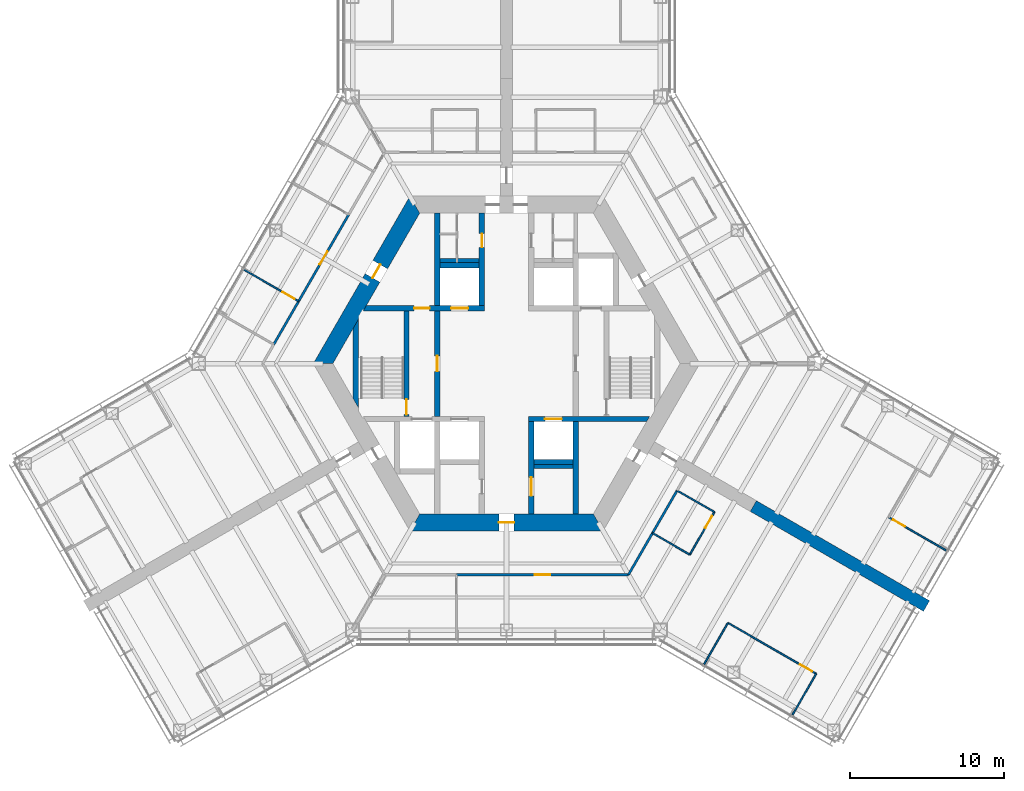
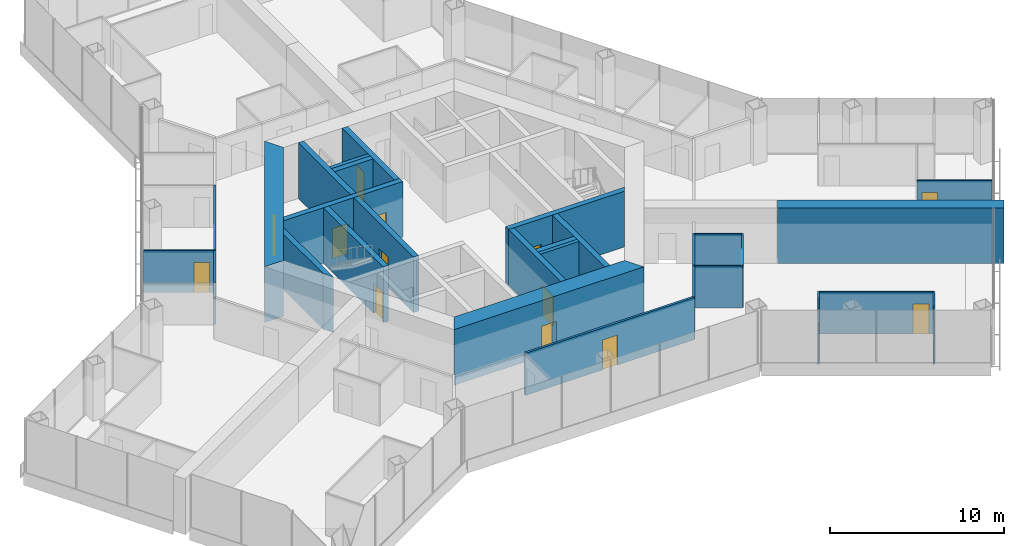
# One storey, part 13 of 19: 29 walls, 15 doors, 15 openings.
"""IFC4 building model written with IfcOpenShell, lengths in metres."""

from ifc_helpers import new_model, si_unit, direction, frame, frame_2d, origin, place, context, subcontext, project, spatial, polyline, rectangle, outline, extrude, material, layer, layer_set, type_object, element, fill, save


model = new_model("IFC4")

# Units and contexts
model_context = context("Model", 3, precision=1e-05, world=origin(), true_north=direction((0.0, 1.0)))
body_context = subcontext(model_context, "Body", "Model", "MODEL_VIEW")
ifc_project = project(units=[si_unit("LENGTHUNIT", "METRE"), si_unit("AREAUNIT", "SQUARE_METRE"), si_unit("VOLUMEUNIT", "CUBIC_METRE"), si_unit("PLANEANGLEUNIT", "RADIAN"), si_unit("MASSUNIT", "GRAM", prefix="KILO")], contexts=[model_context])

# Site, building, storey
site_placement = place(None, origin())
site = spatial("IfcSite", under=ifc_project, at=site_placement, CompositionType="ELEMENT")
building_placement = place(site_placement, origin())
building = spatial("IfcBuilding", under=site, at=building_placement, Name="Kasaneha Research Tower", CompositionType="ELEMENT")
storey_placement = place(building_placement, frame((0.0, 0.0, 100.199951171875)))
storey = spatial("IfcBuildingStorey", under=building, at=storey_placement, Name="L25", CompositionType="ELEMENT", Elevation=100.199951171875)

# Wall, openings, doors
ifc_material_1 = material(Name="Concrete Fc80", Category="concrete")
ifc_layer_1 = layer(ifc_material_1, 0.35009765625)
ifc_layer_set_1 = layer_set([ifc_layer_1], Name="Core internal wall 350 Fc80")
wall_type_1 = type_object("IfcWallType", Name="Core internal wall 350 Fc80", PredefinedType="SHEAR", material=ifc_layer_set_1)
wall_1_placement = place(storey_placement, frame((-9.208740234375, 3.60009765625, 0.0), z_axis=(0.0, 0.0, 1.0), x_axis=(1.0, 0.0, 0.0)))
wall_1 = element("IfcWall", 1, at=wall_1_placement, inside=storey, type_object=wall_type_1, Name="Core wall W1W L25", PredefinedType="SHEAR", context=body_context, shape_type="SweptSolid", body=[
    extrude(outline(polyline([(-0.10107421875, -0.175048828125), (3.208740234375, -0.175048828125), (4.208740234375, -0.175048828125), (5.608642578125, -0.175048828125), (6.708740234375, -0.175048828125), (7.78369140625, -0.175048828125), (7.78369140625, 0.175048828125), (6.708740234375, 0.175048828125), (5.608642578125, 0.175048828125), (4.208740234375, 0.175048828125), (3.208740234375, 0.175048828125), (0.10107421875, 0.175048828125), (-0.10107421875, -0.175048828125)])), origin(), (0.0, 0.0, 1.0), 3.900146484375),
])
opening_1_placement = place(wall_1_placement, frame((3.208740234375, 0.0, 0.0)))
opening_1 = element("IfcOpeningElement", 2, at=opening_1_placement, cuts=wall_1, Name="Opening L25-D12", PredefinedType="OPENING", context=body_context, shape_type="SweptSolid", body=[
    extrude(rectangle(XDim=1.0, YDim=2.10009765625, at=frame_2d((0.5, 1.050048828125))), frame((0.0, 0.18505859375, 0.0), z_axis=(0.0, -1.0, 0.0), x_axis=(1.0, 0.0, 0.0)), (0.0, 0.0, 1.0), 0.3701171875),
])
opening_2_placement = place(wall_1_placement, frame((5.608642578125, 0.0, 0.0)))
opening_2 = element("IfcOpeningElement", 3, at=opening_2_placement, cuts=wall_1, Name="Opening LD-LO1-L25", PredefinedType="OPENING", context=body_context, shape_type="SweptSolid", body=[
    extrude(rectangle(XDim=1.10009765625, YDim=2.10009765625, at=frame_2d((0.550048828125, 1.050048828125))), frame((0.0, 0.18505859375, 0.0), z_axis=(0.0, -1.0, 0.0), x_axis=(1.0, 0.0, 0.0)), (0.0, 0.0, 1.0), 0.3701171875),
])
ifc_material_2 = material(Name="Steel", Category="steel")
door_type_1 = type_object("IfcDoorType", Name="Lift landing door 1100x2100", OperationType="DOUBLE_DOOR_SLIDING", PredefinedType="DOOR", material=ifc_material_2)
door_1_placement = place(opening_2_placement, origin())
door_1 = element("IfcDoor", 4, at=door_1_placement, inside=storey, type_object=door_type_1, Name="Landing door LO1 LD-LO1-L25", OperationType="DOUBLE_DOOR_SLIDING", OverallHeight=2.10009765625, OverallWidth=1.10009765625, PredefinedType="DOOR", context=body_context, shape_type="SweptSolid", body=[
    extrude(rectangle(XDim=1.10009765625, YDim=2.10009765625, at=frame_2d((0.550048828125, 1.050048828125))), frame((0.0, 0.02490234375, 0.0), z_axis=(0.0, -1.0, 0.0), x_axis=(1.0, 0.0, 0.0)), (0.0, 0.0, 1.0), 0.050048828125),
])
fill(opening_2, door_1)
ifc_material_3 = material(Name="Steel", Category="steel")
door_type_2 = type_object("IfcDoorType", Name="Specified fire door FD60 1000x2100", OperationType="NOTDEFINED", PredefinedType="DOOR", material=ifc_material_3)
door_2_placement = place(opening_1_placement, origin())
door_2 = element("IfcDoor", 5, at=door_2_placement, inside=storey, type_object=door_type_2, Name="Vestibule to lobby door L25-D12", OperationType="SINGLE_SWING_RIGHT", OverallHeight=2.10009765625, OverallWidth=1.0, PredefinedType="DOOR", context=body_context, shape_type="SweptSolid", body=[
    extrude(rectangle(XDim=1.0, YDim=2.10009765625, at=frame_2d((0.5, 1.050048828125))), frame((0.0, 0.02490234375, 0.0), z_axis=(0.0, -1.0, 0.0), x_axis=(1.0, 0.0, 0.0)), (0.0, 0.0, 1.0), 0.050048828125),
])
fill(opening_1, door_2)

# Wall, opening, door
wall_2_placement = place(storey_placement, frame((1.425048828125, -3.60009765625, 0.0), z_axis=(0.0, 0.0, 1.0), x_axis=(1.0, 0.0, 0.0)))
wall_2 = element("IfcWall", 6, at=wall_2_placement, inside=storey, type_object=wall_type_1, Name="Core wall W2E L25", PredefinedType="SHEAR", context=body_context, shape_type="SweptSolid", body=[
    extrude(outline(polyline([(0.0, -0.175048828125), (1.074951171875, -0.175048828125), (2.175048828125, -0.175048828125), (7.6826171875, -0.175048828125), (7.884765625, 0.175048828125), (2.175048828125, 0.175048828125), (1.074951171875, 0.175048828125), (0.0, 0.175048828125), (0.0, -0.175048828125)])), origin(), (0.0, 0.0, 1.0), 3.900146484375),
])
opening_3_placement = place(wall_2_placement, frame((1.074951171875, 0.0, 0.0)))
opening_3 = element("IfcOpeningElement", 7, at=opening_3_placement, cuts=wall_2, Name="Opening LD-LO3-L25", PredefinedType="OPENING", context=body_context, shape_type="SweptSolid", body=[
    extrude(rectangle(XDim=1.10009765625, YDim=2.10009765625, at=frame_2d((0.550048828125, 1.050048828125))), frame((0.0, 0.18505859375, 0.0), z_axis=(0.0, -1.0, 0.0), x_axis=(1.0, 0.0, 0.0)), (0.0, 0.0, 1.0), 0.3701171875),
])
door_3_placement = place(opening_3_placement, origin())
door_3 = element("IfcDoor", 8, at=door_3_placement, inside=storey, type_object=door_type_1, Name="Landing door LO3 LD-LO3-L25", OperationType="DOUBLE_DOOR_SLIDING", OverallHeight=2.10009765625, OverallWidth=1.10009765625, PredefinedType="DOOR", context=body_context, shape_type="SweptSolid", body=[
    extrude(rectangle(XDim=1.10009765625, YDim=2.10009765625, at=frame_2d((0.550048828125, 1.050048828125))), frame((0.0, 0.02490234375, 0.0), z_axis=(0.0, -1.0, 0.0), x_axis=(1.0, 0.0, 0.0)), (0.0, 0.0, 1.0), 0.050048828125),
])
fill(opening_3, door_3)

wall_3_placement = place(storey_placement, frame((-1.60009765625, 3.77490234375, 0.0), z_axis=(0.0, 0.0, 1.0), x_axis=(0.0, 1.0, 0.0)))
wall_3 = element("IfcWall", 9, at=wall_3_placement, inside=storey, type_object=wall_type_1, Name="Core wall CNW L25", PredefinedType="SHEAR", context=body_context, shape_type="SweptSolid", body=[
    extrude(rectangle(XDim=6.0, YDim=0.35009765625, at=frame_2d((3.0, 0.0))), origin(), (0.0, 0.0, 1.0), 3.900146484375),
])
opening_4_placement = place(wall_3_placement, frame((3.77490234375, 0.0, 0.0)))
opening_4 = element("IfcOpeningElement", 10, at=opening_4_placement, cuts=wall_3, Name="Opening L25-D13", PredefinedType="OPENING", context=body_context, shape_type="SweptSolid", body=[
    extrude(rectangle(XDim=0.89990234375, YDim=2.10009765625, at=frame_2d((0.449951171875, 1.050048828125))), frame((0.0, 0.18505859375, 0.0), z_axis=(0.0, -1.0, 0.0), x_axis=(1.0, 0.0, 0.0)), (0.0, 0.0, 1.0), 0.3701171875),
])
ifc_material_4 = material(Name="Steel", Category="steel")
door_type_3 = type_object("IfcDoorType", Name="Toilet door FD20 900x2100", OperationType="NOTDEFINED", PredefinedType="DOOR", material=ifc_material_4)
door_4_placement = place(opening_4_placement, origin())
door_4 = element("IfcDoor", 11, at=door_4_placement, inside=storey, type_object=door_type_3, Name="Men's WC door L25-D13", OperationType="SINGLE_SWING_LEFT", OverallHeight=2.10009765625, OverallWidth=0.89990234375, PredefinedType="DOOR", context=body_context, shape_type="SweptSolid", body=[
    extrude(rectangle(XDim=0.89990234375, YDim=2.10009765625, at=frame_2d((0.449951171875, 1.050048828125))), frame((0.0, 0.02490234375, 0.0), z_axis=(0.0, -1.0, 0.0), x_axis=(1.0, 0.0, 0.0)), (0.0, 0.0, 1.0), 0.050048828125),
])
fill(opening_4, door_4)

wall_4_placement = place(storey_placement, frame((1.60009765625, -3.77490234375, 0.0), z_axis=(0.0, 0.0, 1.0), x_axis=(0.0, -1.0, 0.0)))
wall_4 = element("IfcWall", 12, at=wall_4_placement, inside=storey, type_object=wall_type_1, Name="Core wall CSE L25", PredefinedType="SHEAR", context=body_context, shape_type="SweptSolid", body=[
    extrude(rectangle(XDim=6.0, YDim=0.35009765625, at=frame_2d((3.0, 0.0))), origin(), (0.0, 0.0, 1.0), 3.900146484375),
])
opening_5_placement = place(wall_4_placement, frame((3.625, 0.0, 0.0)))
opening_5 = element("IfcOpeningElement", 13, at=opening_5_placement, cuts=wall_4, Name="Opening L25-D15", PredefinedType="OPENING", context=body_context, shape_type="SweptSolid", body=[
    extrude(rectangle(XDim=1.199951171875, YDim=2.10009765625, at=frame_2d((0.60009765625, 1.050048828125))), frame((0.0, 0.18505859375, 0.0), z_axis=(0.0, -1.0, 0.0), x_axis=(1.0, 0.0, 0.0)), (0.0, 0.0, 1.0), 0.3701171875),
])
ifc_material_5 = material(Name="Steel", Category="steel")
door_type_4 = type_object("IfcDoorType", Name="Accessible toilet sliding door FD20 1200x2100", OperationType="SLIDING_TO_LEFT", PredefinedType="DOOR", material=ifc_material_5)
door_5_placement = place(opening_5_placement, origin())
door_5 = element("IfcDoor", 14, at=door_5_placement, inside=storey, type_object=door_type_4, Name="Accessible WC door L25-D15", OperationType="SLIDING_TO_LEFT", OverallHeight=2.10009765625, OverallWidth=1.199951171875, PredefinedType="DOOR", context=body_context, shape_type="SweptSolid", body=[
    extrude(rectangle(XDim=1.199951171875, YDim=2.10009765625, at=frame_2d((0.60009765625, 1.050048828125))), frame((0.0, 0.02490234375, 0.0), z_axis=(0.0, -1.0, 0.0), x_axis=(1.0, 0.0, 0.0)), (0.0, 0.0, 1.0), 0.050048828125),
])
fill(opening_5, door_5)

wall_5_placement = place(storey_placement, frame((-4.5, -3.425048828125, 0.0), z_axis=(0.0, 0.0, 1.0), x_axis=(0.0, 1.0, 0.0)))
wall_5 = element("IfcWall", 15, at=wall_5_placement, inside=storey, type_object=wall_type_1, Name="Core wall LBW L25", PredefinedType="SHEAR", context=body_context, shape_type="SweptSolid", body=[
    extrude(rectangle(XDim=6.85009765625, YDim=0.35009765625, at=frame_2d((3.425048828125, 0.0))), origin(), (0.0, 0.0, 1.0), 3.900146484375),
])
opening_6_placement = place(wall_5_placement, frame((2.925048828125, 0.0, 0.0)))
opening_6 = element("IfcOpeningElement", 16, at=opening_6_placement, cuts=wall_5, Name="Opening L25-D09", PredefinedType="OPENING", context=body_context, shape_type="SweptSolid", body=[
    extrude(rectangle(XDim=1.0, YDim=2.10009765625, at=frame_2d((0.5, 1.050048828125))), frame((0.0, 0.18505859375, 0.0), z_axis=(0.0, -1.0, 0.0), x_axis=(1.0, 0.0, 0.0)), (0.0, 0.0, 1.0), 0.3701171875),
])
door_6_placement = place(opening_6_placement, origin())
door_6 = element("IfcDoor", 17, at=door_6_placement, inside=storey, type_object=door_type_2, Name="Lift lobby door west L25-D09", OperationType="SINGLE_SWING_LEFT", OverallHeight=2.10009765625, OverallWidth=1.0, PredefinedType="DOOR", context=body_context, shape_type="SweptSolid", body=[
    extrude(rectangle(XDim=1.0, YDim=2.10009765625, at=frame_2d((0.5, 1.050048828125))), frame((0.0, 0.02490234375, 0.0), z_axis=(0.0, -1.0, 0.0), x_axis=(1.0, 0.0, 0.0)), (0.0, 0.0, 1.0), 0.050048828125),
])
fill(opening_6, door_6)

wall_6_placement = place(storey_placement, frame((-6.5, -3.425048828125, 0.0), z_axis=(0.0, 0.0, 1.0), x_axis=(0.0, 1.0, 0.0)))
wall_6 = element("IfcWall", 18, at=wall_6_placement, inside=storey, type_object=wall_type_1, Name="Core wall ANW L25", PredefinedType="SHEAR", context=body_context, shape_type="SweptSolid", body=[
    extrude(rectangle(XDim=6.85009765625, YDim=0.35009765625, at=frame_2d((3.425048828125, 0.0))), origin(), (0.0, 0.0, 1.0), 3.900146484375),
])
opening_7_placement = place(wall_6_placement, frame((0.10009765625, 0.0, 0.0)))
opening_7 = element("IfcOpeningElement", 19, at=opening_7_placement, cuts=wall_6, Name="Opening L25-D11", PredefinedType="OPENING", context=body_context, shape_type="SweptSolid", body=[
    extrude(rectangle(XDim=1.0, YDim=2.10009765625, at=frame_2d((0.5, 1.050048828125))), frame((0.0, 0.18505859375, 0.0), z_axis=(0.0, -1.0, 0.0), x_axis=(1.0, 0.0, 0.0)), (0.0, 0.0, 1.0), 0.3701171875),
])
door_7_placement = place(opening_7_placement, origin())
door_7 = element("IfcDoor", 20, at=door_7_placement, inside=storey, type_object=door_type_2, Name="Stair 2 door L25-D11", OperationType="SINGLE_SWING_LEFT", OverallHeight=2.10009765625, OverallWidth=1.0, PredefinedType="DOOR", context=body_context, shape_type="SweptSolid", body=[
    extrude(rectangle(XDim=1.0, YDim=2.10009765625, at=frame_2d((0.5, 1.050048828125))), frame((0.0, 0.02490234375, 0.0), z_axis=(0.0, -1.0, 0.0), x_axis=(1.0, 0.0, 0.0)), (0.0, 0.0, 1.0), 0.050048828125),
])
fill(opening_7, door_7)

# Walls
for number, where, z_axis, x_axis, name in (
    (21, (-4.5, 3.77490234375, 0.0), (0.0, 0.0, 1.0), (0.0, 1.0, 0.0), "Core wall VNW L25"),
    (22, (4.5, -3.77490234375, 0.0), (0.0, 0.0, 1.0), (0.0, -1.0, 0.0), "Core wall SSE L25"),
):
    element("IfcWall", number, at=place(storey_placement, frame(where, z_axis=z_axis, x_axis=x_axis)), inside=storey, type_object=wall_type_1, Name=name, PredefinedType="SHEAR", context=body_context, shape_type="SweptSolid", body=[
        extrude(rectangle(XDim=6.0, YDim=0.35009765625, at=frame_2d((3.0, 0.0))), origin(), (0.0, 0.0, 1.0), 3.900146484375),
    ])
for number, where, z_axis, x_axis, name in (
    (23, (-4.324951171875, 6.39990234375, 0.0), (0.0, 0.0, 1.0), (1.0, 0.0, 0.0), "Core wall N1N L25"),
    (24, (1.77490234375, -6.39990234375, 0.0), (0.0, 0.0, 1.0), (1.0, 0.0, 0.0), "Core wall S3S L25"),
):
    element("IfcWall", number, at=place(storey_placement, frame(where, z_axis=z_axis, x_axis=x_axis)), inside=storey, type_object=wall_type_1, Name=name, PredefinedType="SHEAR", context=body_context, shape_type="SweptSolid", body=[
        extrude(rectangle(XDim=2.550048828125, YDim=0.35009765625, at=frame_2d((1.27490234375, 0.0))), origin(), (0.0, 0.0, 1.0), 3.900146484375),
    ])
wall_7_placement = place(storey_placement, frame((-9.807861328125, -2.562255859375, 0.0), z_axis=(0.0, 0.0, 1.0), x_axis=(0.0, 1.0, 0.0)))
element("IfcWall", 25, at=wall_7_placement, inside=storey, type_object=wall_type_1, Name="Core wall STW L25", PredefinedType="SHEAR", context=body_context, shape_type="SweptSolid", body=[
    extrude(outline(polyline([(-0.30322265625, -0.175048828125), (5.427734375, -0.175048828125), (4.8212890625, 0.175048828125), (0.30322265625, 0.175048828125), (-0.30322265625, -0.175048828125)])), origin(), (0.0, 0.0, 1.0), 3.900146484375),
])

# Wall, opening, door
ifc_material_6 = material(Name="Concrete Fc80", Category="concrete")
ifc_layer_2 = layer(ifc_material_6, 1.10009765625)
ifc_layer_set_2 = layer_set([ifc_layer_2], Name="Core wall 1100 Fc80")
wall_type_2 = type_object("IfcWallType", Name="Core wall 1100 Fc80", PredefinedType="SHEAR", material=ifc_layer_set_2)
wall_8_placement = place(storey_placement, frame((-5.961181640625, 10.324951171875, 0.0), z_axis=(0.0, 0.0, 1.0), x_axis=(-0.500004296715, -0.866022923061, 0.0)))
wall_8 = element("IfcWall", 26, at=wall_8_placement, inside=storey, type_object=wall_type_2, Name="Core wall 150 L25", PredefinedType="SHEAR", context=body_context, shape_type="SweptSolid", body=[
    extrude(outline(polyline([(-0.317626953125, -0.550048828125), (4.494140625, -0.550048828125), (5.494140625, -0.550048828125), (12.239990234375, -0.550048828125), (11.604736328125, 0.550048828125), (5.494140625, 0.550048828125), (4.494140625, 0.550048828125), (0.317626953125, 0.550048828125), (-0.317626953125, -0.550048828125)])), origin(), (0.0, 0.0, 1.0), 3.900146484375),
])
opening_8_placement = place(wall_8_placement, frame((4.494140625, 0.0, 0.0)))
opening_8 = element("IfcOpeningElement", 27, at=opening_8_placement, cuts=wall_8, Name="Opening L25-D07", PredefinedType="OPENING", context=body_context, shape_type="SweptSolid", body=[
    extrude(rectangle(XDim=1.0, YDim=2.10009765625, at=frame_2d((0.5, 1.050048828125))), frame((0.0, 0.56005859375, 0.0), z_axis=(0.0, -1.0, 0.0), x_axis=(1.0, 0.0, 0.0)), (0.0, 0.0, 1.0), 1.1201171875),
])
ifc_material_7 = material(Name="Steel", Category="steel")
door_type_5 = type_object("IfcDoorType", Name="Fire door FD20 1000x2100", OperationType="NOTDEFINED", PredefinedType="DOOR", material=ifc_material_7)
door_8_placement = place(opening_8_placement, origin())
door_8 = element("IfcDoor", 28, at=door_8_placement, inside=storey, type_object=door_type_5, Name="Vestibule door L25-D07", OperationType="SINGLE_SWING_LEFT", OverallHeight=2.10009765625, OverallWidth=1.0, PredefinedType="DOOR", context=body_context, shape_type="SweptSolid", body=[
    extrude(rectangle(XDim=1.0, YDim=2.10009765625, at=frame_2d((0.5, 1.050048828125))), frame((0.0, 0.02490234375, 0.0), z_axis=(0.0, -1.0, 0.0), x_axis=(1.0, 0.0, 0.0)), (0.0, 0.0, 1.0), 0.050048828125),
])
fill(opening_8, door_8)

wall_9_placement = place(storey_placement, frame((-5.961181640625, -10.324951171875, 0.0), z_axis=(0.0, 0.0, 1.0), x_axis=(1.0, 0.0, 0.0)))
wall_9 = element("IfcWall", 29, at=wall_9_placement, inside=storey, type_object=wall_type_2, Name="Core wall 270 L25", PredefinedType="SHEAR", context=body_context, shape_type="SweptSolid", body=[
    extrude(outline(polyline([(-0.317626953125, -0.550048828125), (5.461181640625, -0.550048828125), (6.461181640625, -0.550048828125), (12.239990234375, -0.550048828125), (11.604736328125, 0.550048828125), (6.461181640625, 0.550048828125), (5.461181640625, 0.550048828125), (0.317626953125, 0.550048828125), (-0.317626953125, -0.550048828125)])), origin(), (0.0, 0.0, 1.0), 3.900146484375),
])
opening_9_placement = place(wall_9_placement, frame((5.461181640625, 0.0, 0.0)))
opening_9 = element("IfcOpeningElement", 30, at=opening_9_placement, cuts=wall_9, Name="Opening L25-D03", PredefinedType="OPENING", context=body_context, shape_type="SweptSolid", body=[
    extrude(rectangle(XDim=1.0, YDim=2.10009765625, at=frame_2d((0.5, 1.050048828125))), frame((0.0, 0.56005859375, 0.0), z_axis=(0.0, -1.0, 0.0), x_axis=(1.0, 0.0, 0.0)), (0.0, 0.0, 1.0), 1.1201171875),
])
door_9_placement = place(opening_9_placement, origin())
door_9 = element("IfcDoor", 31, at=door_9_placement, inside=storey, type_object=door_type_5, Name="Core door south L25-D03", OperationType="SINGLE_SWING_LEFT", OverallHeight=2.10009765625, OverallWidth=1.0, PredefinedType="DOOR", context=body_context, shape_type="SweptSolid", body=[
    extrude(rectangle(XDim=1.0, YDim=2.10009765625, at=frame_2d((0.5, 1.050048828125))), frame((0.0, 0.02490234375, 0.0), z_axis=(0.0, -1.0, 0.0), x_axis=(1.0, 0.0, 0.0)), (0.0, 0.0, 1.0), 0.050048828125),
])
fill(opening_9, door_9)

ifc_material_8 = material(Name="Gypsum board on steel studs, one layer each side", Category="steel")
ifc_layer_3 = layer(ifc_material_8, 0.10009765625)
ifc_layer_set_3 = layer_set([ifc_layer_3], Name="Office partition 100")
wall_type_3 = type_object("IfcWallType", Name="Office partition 100", PredefinedType="PARTITIONING", material=ifc_layer_set_3)
wall_10_placement = place(storey_placement, frame((-17.05615234375, 6.098876953125, 0.0), z_axis=(0.0, 0.0, 1.0), x_axis=(0.865456213931, -0.500984572385, 0.0)))
wall_10 = element("IfcWall", 32, at=wall_10_placement, inside=storey, type_object=wall_type_3, Name="Office partition FBN11 L25", PredefinedType="PARTITIONING", context=body_context, shape_type="SweptSolid", body=[
    extrude(rectangle(XDim=4.095458984375, YDim=0.10009765625, at=frame_2d((2.0478515625, 0.0))), origin(), (0.0, 0.0, 1.0), 2.949951171875),
])
opening_10_placement = place(wall_10_placement, frame((2.8955078125, 0.0, 0.0)))
opening_10 = element("IfcOpeningElement", 33, at=opening_10_placement, cuts=wall_10, Name="Opening L25-D43", PredefinedType="OPENING", context=body_context, shape_type="SweptSolid", body=[
    extrude(rectangle(XDim=0.89990234375, YDim=2.10009765625, at=frame_2d((0.449951171875, 1.050048828125))), frame((0.0, 0.06005859375, 0.0), z_axis=(0.0, -1.0, 0.0), x_axis=(1.0, 0.0, 0.0)), (0.0, 0.0, 1.0), 0.1201171875),
])
ifc_material_9 = material(Name="Timber veneer", Category="wood")
door_type_6 = type_object("IfcDoorType", Name="Office door 900x2100", OperationType="SINGLE_SWING_LEFT", PredefinedType="DOOR", material=ifc_material_9)
door_10_placement = place(opening_10_placement, origin())
door_10 = element("IfcDoor", 34, at=door_10_placement, inside=storey, type_object=door_type_6, Name="Meeting room door L25-D43", OperationType="SINGLE_SWING_RIGHT", OverallHeight=2.10009765625, OverallWidth=0.89990234375, PredefinedType="DOOR", context=body_context, shape_type="SweptSolid", body=[
    extrude(rectangle(XDim=0.89990234375, YDim=2.10009765625, at=frame_2d((0.449951171875, 1.050048828125))), frame((0.0, 0.02490234375, 0.0), z_axis=(0.0, -1.0, 0.0), x_axis=(1.0, 0.0, 0.0)), (0.0, 0.0, 1.0), 0.050048828125),
])
fill(opening_10, door_10)

wall_11_placement = place(storey_placement, frame((28.57470703125, -12.148193359375, 0.0), z_axis=(0.0, 0.0, 1.0), x_axis=(-0.866033360935, 0.499986217557, 0.0)))
wall_11 = element("IfcWall", 35, at=wall_11_placement, inside=storey, type_object=wall_type_3, Name="Office partition FCE07 L25", PredefinedType="PARTITIONING", context=body_context, shape_type="SweptSolid", body=[
    extrude(rectangle(XDim=4.2998046875, YDim=0.10009765625, at=frame_2d((2.14990234375, 0.0))), origin(), (0.0, 0.0, 1.0), 2.949951171875),
])
opening_11_placement = place(wall_11_placement, frame((3.10009765625, 0.0, 0.0)))
opening_11 = element("IfcOpeningElement", 36, at=opening_11_placement, cuts=wall_11, Name="Opening L25-D52", PredefinedType="OPENING", context=body_context, shape_type="SweptSolid", body=[
    extrude(rectangle(XDim=0.89990234375, YDim=2.10009765625, at=frame_2d((0.449951171875, 1.050048828125))), frame((0.0, 0.06005859375, 0.0), z_axis=(0.0, -1.0, 0.0), x_axis=(1.0, 0.0, 0.0)), (0.0, 0.0, 1.0), 0.1201171875),
])
door_11_placement = place(opening_11_placement, origin())
door_11 = element("IfcDoor", 37, at=door_11_placement, inside=storey, type_object=door_type_6, Name="Meeting room door L25-D52", OperationType="SINGLE_SWING_RIGHT", OverallHeight=2.10009765625, OverallWidth=0.89990234375, PredefinedType="DOOR", context=body_context, shape_type="SweptSolid", body=[
    extrude(rectangle(XDim=0.89990234375, YDim=2.10009765625, at=frame_2d((0.449951171875, 1.050048828125))), frame((0.0, 0.02490234375, 0.0), z_axis=(0.0, -1.0, 0.0), x_axis=(1.0, 0.0, 0.0)), (0.0, 0.0, 1.0), 0.050048828125),
])
fill(opening_11, door_11)

# Walls
wall_12_placement = place(storey_placement, frame((11.083984375, -8.251953125, 0.0), z_axis=(0.0, 0.0, 1.0), x_axis=(0.86679607088, -0.498662783358, 0.0)))
element("IfcWall", 38, at=wall_12_placement, inside=storey, type_object=wall_type_3, Name="Office partition FCS06 L25", PredefinedType="PARTITIONING", context=body_context, shape_type="SweptSolid", body=[
    extrude(rectangle(XDim=2.800048828125, YDim=0.10009765625, at=frame_2d((1.39990234375, 0.0))), origin(), (0.0, 0.0, 1.0), 2.949951171875),
])
wall_13_placement = place(storey_placement, frame((11.9111328125, -12.41943359375, 0.0), z_axis=(0.0, 0.0, 1.0), x_axis=(-0.86521729344, 0.50139708329, 0.0)))
element("IfcWall", 39, at=wall_13_placement, inside=storey, type_object=wall_type_3, Name="Office partition FCS07 L25", PredefinedType="PARTITIONING", context=body_context, shape_type="SweptSolid", body=[
    extrude(rectangle(XDim=2.80029296875, YDim=0.10009765625, at=frame_2d((1.400146484375, 0.0))), origin(), (0.0, 0.0, 1.0), 2.949951171875),
])

# Wall, opening, door
wall_14_placement = place(storey_placement, frame((13.510986328125, -9.648193359375, 0.0), z_axis=(0.0, 0.0, 1.0), x_axis=(-0.499971222258, -0.866042017984, 0.0)))
wall_14 = element("IfcWall", 40, at=wall_14_placement, inside=storey, type_object=wall_type_3, Name="Office partition FCS08 L25", PredefinedType="PARTITIONING", context=body_context, shape_type="SweptSolid", body=[
    extrude(rectangle(XDim=3.199951171875, YDim=0.10009765625, at=frame_2d((1.60009765625, 0.0))), origin(), (0.0, 0.0, 1.0), 2.949951171875),
])
opening_12_placement = place(wall_14_placement, frame((0.300048828125, 0.0, 0.0)))
opening_12 = element("IfcOpeningElement", 41, at=opening_12_placement, cuts=wall_14, Name="Opening L25-D54", PredefinedType="OPENING", context=body_context, shape_type="SweptSolid", body=[
    extrude(rectangle(XDim=0.89990234375, YDim=2.10009765625, at=frame_2d((0.449951171875, 1.050048828125))), frame((0.0, 0.06005859375, 0.0), z_axis=(0.0, -1.0, 0.0), x_axis=(1.0, 0.0, 0.0)), (0.0, 0.0, 1.0), 0.1201171875),
])
door_12_placement = place(opening_12_placement, origin())
door_12 = element("IfcDoor", 42, at=door_12_placement, inside=storey, type_object=door_type_6, Name="Pantry door L25-D54", OperationType="SINGLE_SWING_LEFT", OverallHeight=2.10009765625, OverallWidth=0.89990234375, PredefinedType="DOOR", context=body_context, shape_type="SweptSolid", body=[
    extrude(rectangle(XDim=0.89990234375, YDim=2.10009765625, at=frame_2d((0.449951171875, 1.050048828125))), frame((0.0, 0.02490234375, 0.0), z_axis=(0.0, -1.0, 0.0), x_axis=(1.0, 0.0, 0.0)), (0.0, 0.0, 1.0), 0.050048828125),
])
fill(opening_12, door_12)

# Wall
wall_15_placement = place(storey_placement, frame((12.84228515625, -19.538818359375, 0.0), z_axis=(0.0, 0.0, 1.0), x_axis=(0.499933790963, 0.866063626216, 0.0)))
element("IfcWall", 43, at=wall_15_placement, inside=storey, type_object=wall_type_3, Name="Office partition FCS09 L25", PredefinedType="PARTITIONING", context=body_context, shape_type="SweptSolid", body=[
    extrude(rectangle(XDim=3.10009765625, YDim=0.10009765625, at=frame_2d((1.550048828125, 0.0))), origin(), (0.0, 0.0, 1.0), 2.949951171875),
])

# Wall, opening, door
wall_16_placement = place(storey_placement, frame((14.39208984375, -16.85400390625, 0.0), z_axis=(0.0, 0.0, 1.0), x_axis=(0.866030817826, -0.499990622488, 0.0)))
wall_16 = element("IfcWall", 44, at=wall_16_placement, inside=storey, type_object=wall_type_3, Name="Office partition FCS10 L25", PredefinedType="PARTITIONING", context=body_context, shape_type="SweptSolid", body=[
    extrude(rectangle(XDim=6.619873046875, YDim=0.10009765625, at=frame_2d((3.31005859375, 0.0))), origin(), (0.0, 0.0, 1.0), 2.949951171875),
])
opening_13_placement = place(wall_16_placement, frame((5.419677734375, 0.0, 0.0)))
opening_13 = element("IfcOpeningElement", 45, at=opening_13_placement, cuts=wall_16, Name="Opening L25-D55", PredefinedType="OPENING", context=body_context, shape_type="SweptSolid", body=[
    extrude(rectangle(XDim=0.89990234375, YDim=2.10009765625, at=frame_2d((0.449951171875, 1.050048828125))), frame((0.0, 0.06005859375, 0.0), z_axis=(0.0, -1.0, 0.0), x_axis=(1.0, 0.0, 0.0)), (0.0, 0.0, 1.0), 0.1201171875),
])
door_13_placement = place(opening_13_placement, origin())
door_13 = element("IfcDoor", 46, at=door_13_placement, inside=storey, type_object=door_type_6, Name="Manager's office door L25-D55", OperationType="SINGLE_SWING_RIGHT", OverallHeight=2.10009765625, OverallWidth=0.89990234375, PredefinedType="DOOR", context=body_context, shape_type="SweptSolid", body=[
    extrude(rectangle(XDim=0.89990234375, YDim=2.10009765625, at=frame_2d((0.449951171875, 1.050048828125))), frame((0.0, 0.02490234375, 0.0), z_axis=(0.0, -1.0, 0.0), x_axis=(1.0, 0.0, 0.0)), (0.0, 0.0, 1.0), 0.050048828125),
])
fill(opening_13, door_13)

# Walls
wall_17_placement = place(storey_placement, frame((20.125, -20.163818359375, 0.0), z_axis=(0.0, 0.0, 1.0), x_axis=(-0.499992328818, -0.866029832698, 0.0)))
element("IfcWall", 47, at=wall_17_placement, inside=storey, type_object=wall_type_3, Name="Office partition FCS11 L25", PredefinedType="PARTITIONING", context=body_context, shape_type="SweptSolid", body=[
    extrude(rectangle(XDim=3.080078125, YDim=0.10009765625, at=frame_2d((1.5400390625, 0.0))), origin(), (0.0, 0.0, 1.0), 2.949951171875),
])
ifc_material_10 = material(Name="Concrete Fc80", Category="concrete")
ifc_layer_4 = layer(ifc_material_10, 0.800048828125)
ifc_layer_set_4 = layer_set([ifc_layer_4], Name="Spine wall 800 Fc80")
wall_type_4 = type_object("IfcWallType", Name="Spine wall 800 Fc80", PredefinedType="SHEAR", material=ifc_layer_set_4)
wall_18_placement = place(storey_placement, frame((16.039306640625, -9.26025390625, 0.0), z_axis=(0.0, 0.0, 1.0), x_axis=(0.866024837091, -0.50000098154, 0.0)))
element("IfcWall", 48, at=wall_18_placement, inside=storey, type_object=wall_type_4, Name="Spine wall C wing L25", PredefinedType="SHEAR", context=body_context, shape_type="SweptSolid", body=[
    extrude(rectangle(XDim=13.0, YDim=0.800048828125, at=frame_2d((6.5, 0.0))), origin(), (0.0, 0.0, 1.0), 3.900146484375),
])
ifc_material_11 = material(Name="Gypsum board on steel studs, two layers each side", Category="steel")
ifc_layer_5 = layer(ifc_material_11, 0.14990234375)
ifc_layer_set_5 = layer_set([ifc_layer_5], Name="Suite partition 150")
wall_type_5 = type_object("IfcWallType", Name="Suite partition 150", PredefinedType="PARTITIONING", material=ifc_layer_set_5)
wall_19_placement = place(storey_placement, frame((-15.135009765625, 1.235107421875, 0.0), z_axis=(0.0, 0.0, 1.0), x_axis=(0.499969057507, 0.866043267704, 0.0)))
element("IfcWall", 49, at=wall_19_placement, inside=storey, type_object=wall_type_5, Name="Suite partition FBN01 L25", PredefinedType="PARTITIONING", context=body_context, shape_type="SweptSolid", body=[
    extrude(rectangle(XDim=3.256591796875, YDim=0.14990234375, at=frame_2d((1.62841796875, 0.0))), origin(), (0.0, 0.0, 1.0), 2.949951171875),
])

# Wall, opening, door
wall_20_placement = place(storey_placement, frame((-13.51171875, 4.047119140625, 0.0), z_axis=(0.0, 0.0, 1.0), x_axis=(0.500016073435, 0.866016123583, 0.0)))
wall_20 = element("IfcWall", 50, at=wall_20_placement, inside=storey, type_object=wall_type_5, Name="Suite partition FBN06 L25", PredefinedType="PARTITIONING", context=body_context, shape_type="SweptSolid", body=[
    extrude(rectangle(XDim=6.501708984375, YDim=0.14990234375, at=frame_2d((3.2509765625, 0.0))), origin(), (0.0, 0.0, 1.0), 2.949951171875),
])
opening_14_placement = place(wall_20_placement, frame((2.750732421875, 0.0, 0.0)))
opening_14 = element("IfcOpeningElement", 51, at=opening_14_placement, cuts=wall_20, Name="Opening L25-D41", PredefinedType="OPENING", context=body_context, shape_type="SweptSolid", body=[
    extrude(rectangle(XDim=1.0, YDim=2.10009765625, at=frame_2d((0.5, 1.050048828125))), frame((0.0, 0.0849609375, 0.0), z_axis=(0.0, -1.0, 0.0), x_axis=(1.0, 0.0, 0.0)), (0.0, 0.0, 1.0), 0.169921875),
])
ifc_material_12 = material(Name="Steel", Category="steel")
door_type_7 = type_object("IfcDoorType", Name="Suite entrance door FD60 1000x2100", OperationType="NOTDEFINED", PredefinedType="DOOR", material=ifc_material_12)
door_14_placement = place(opening_14_placement, origin())
door_14 = element("IfcDoor", 52, at=door_14_placement, inside=storey, type_object=door_type_7, Name="Suite entrance door L25-D41", OperationType="SINGLE_SWING_LEFT", OverallHeight=2.10009765625, OverallWidth=1.0, PredefinedType="DOOR", context=body_context, shape_type="SweptSolid", body=[
    extrude(rectangle(XDim=1.0, YDim=2.10009765625, at=frame_2d((0.5, 1.050048828125))), frame((0.0, 0.02490234375, 0.0), z_axis=(0.0, -1.0, 0.0), x_axis=(1.0, 0.0, 0.0)), (0.0, 0.0, 1.0), 0.050048828125),
])
fill(opening_14, door_14)

# Wall
wall_21_placement = place(storey_placement, frame((11.088623046875, -8.243896484375, 0.0), z_axis=(0.0, 0.0, 1.0), x_axis=(-0.500016533484, -0.866015857963, 0.0)))
element("IfcWall", 53, at=wall_21_placement, inside=storey, type_object=wall_type_5, Name="Suite partition FCS01 L25", PredefinedType="PARTITIONING", context=body_context, shape_type="SweptSolid", body=[
    extrude(rectangle(XDim=3.2099609375, YDim=0.14990234375, at=frame_2d((1.60498046875, 0.0))), origin(), (0.0, 0.0, 1.0), 2.949951171875),
])

# Wall, opening, door
wall_22_placement = place(storey_placement, frame((7.924072265625, -13.72509765625, 0.0), z_axis=(0.0, 0.0, 1.0), x_axis=(-1.0, 0.0, 0.0)))
wall_22 = element("IfcWall", 54, at=wall_22_placement, inside=storey, type_object=wall_type_5, Name="Suite partition FCS03 L25", PredefinedType="PARTITIONING", context=body_context, shape_type="SweptSolid", body=[
    extrude(rectangle(XDim=11.175048828125, YDim=0.14990234375, at=frame_2d((5.58740234375, 0.0))), origin(), (0.0, 0.0, 1.0), 2.949951171875),
])
opening_15_placement = place(wall_22_placement, frame((5.08740234375, 0.0, 0.0)))
opening_15 = element("IfcOpeningElement", 55, at=opening_15_placement, cuts=wall_22, Name="Opening L25-D53", PredefinedType="OPENING", context=body_context, shape_type="SweptSolid", body=[
    extrude(rectangle(XDim=1.0, YDim=2.10009765625, at=frame_2d((0.5, 1.050048828125))), frame((0.0, 0.0849609375, 0.0), z_axis=(0.0, -1.0, 0.0), x_axis=(1.0, 0.0, 0.0)), (0.0, 0.0, 1.0), 0.169921875),
])
door_15_placement = place(opening_15_placement, origin())
door_15 = element("IfcDoor", 56, at=door_15_placement, inside=storey, type_object=door_type_7, Name="Suite entrance door L25-D53", OperationType="SINGLE_SWING_LEFT", OverallHeight=2.10009765625, OverallWidth=1.0, PredefinedType="DOOR", context=body_context, shape_type="SweptSolid", body=[
    extrude(rectangle(XDim=1.0, YDim=2.10009765625, at=frame_2d((0.5, 1.050048828125))), frame((0.0, 0.02490234375, 0.0), z_axis=(0.0, -1.0, 0.0), x_axis=(1.0, 0.0, 0.0)), (0.0, 0.0, 1.0), 0.050048828125),
])
fill(opening_15, door_15)

# Walls
wall_23_placement = place(storey_placement, frame((9.48828125, -11.015380859375, 0.0), z_axis=(0.0, 0.0, 1.0), x_axis=(-0.499940853474, -0.866059549354, 0.0)))
element("IfcWall", 57, at=wall_23_placement, inside=storey, type_object=wall_type_5, Name="Suite partition FCS04 L25", PredefinedType="PARTITIONING", context=body_context, shape_type="SweptSolid", body=[
    extrude(rectangle(XDim=3.12890625, YDim=0.14990234375, at=frame_2d((1.564453125, 0.0))), origin(), (0.0, 0.0, 1.0), 2.949951171875),
])
ifc_material_13 = material(Name="Concrete block lining", Category="concrete")
ifc_layer_6 = layer(ifc_material_13, 0.25)
ifc_layer_set_6 = layer_set([ifc_layer_6], Name="WC plumbing wall 250")
wall_type_6 = type_object("IfcWallType", Name="WC plumbing wall 250", PredefinedType="PLUMBINGWALL", material=ifc_layer_set_6)
for number, where, z_axis, x_axis, name in (
    (58, (-4.324951171875, 6.699951171875, 0.0), (0.0, 0.0, 1.0), (1.0, 0.0, 0.0), "WC plumbing wall M L25"),
    (59, (1.77490234375, -6.699951171875, 0.0), (0.0, 0.0, 1.0), (1.0, 0.0, 0.0), "WC plumbing wall A L25"),
):
    element("IfcWall", number, at=place(storey_placement, frame(where, z_axis=z_axis, x_axis=x_axis)), inside=storey, type_object=wall_type_6, Name=name, PredefinedType="PLUMBINGWALL", context=body_context, shape_type="SweptSolid", body=[
        extrude(rectangle(XDim=2.550048828125, YDim=0.25, at=frame_2d((1.27490234375, 0.0))), origin(), (0.0, 0.0, 1.0), 3.900146484375),
    ])

save(model, "model.ifc")
